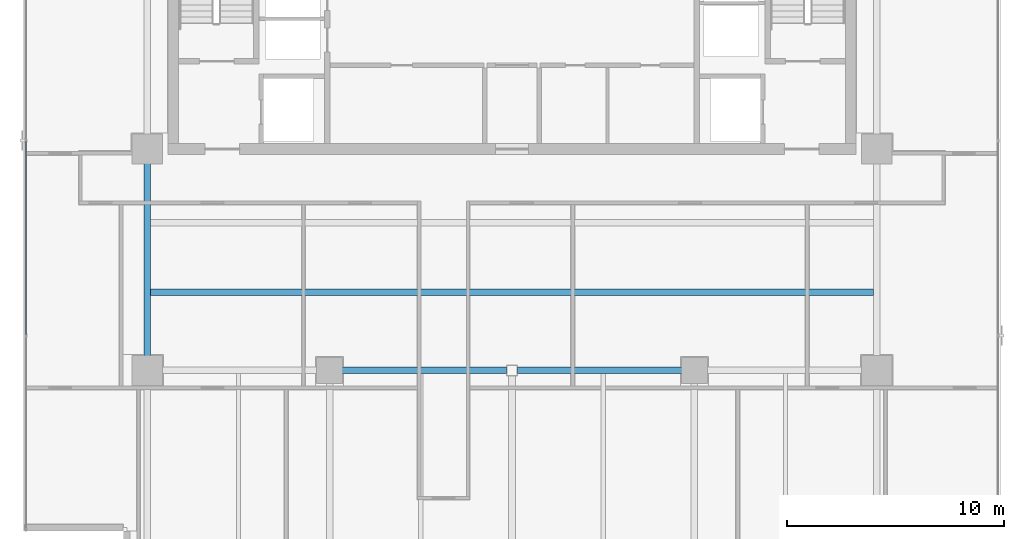
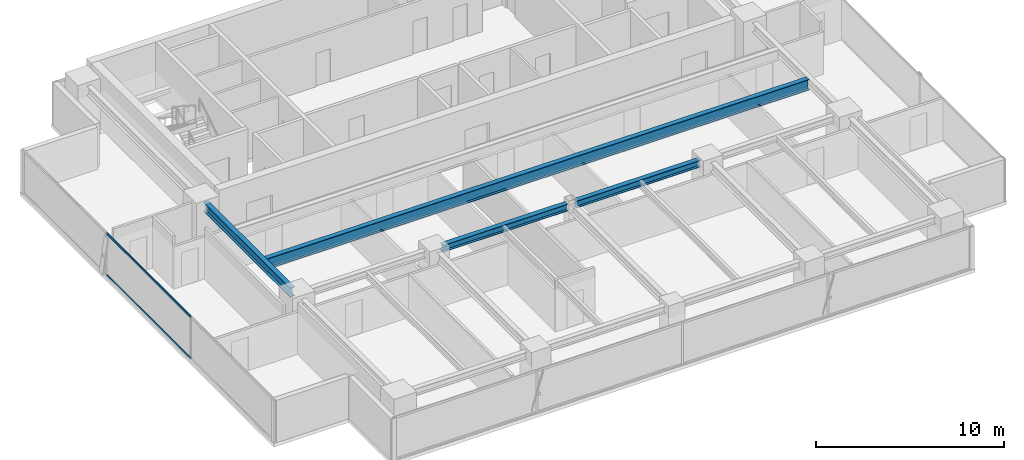
# One storey, part 8 of 26: 4 beams, 2 members, 1 element without a shape of its own.
"""IFC4 building model written with IfcOpenShell, lengths in metres."""

from ifc_helpers import new_model, si_unit, direction, frame, origin, origin_2d, place, context, subcontext, project, spatial, hollow_rectangle, i_section, extrude, source, transform, mapped, material, layer, layer_set, material_profile, profile_set, type_object, element, aggregate, save


model = new_model("IFC4")

# Units and contexts
model_context = context("Model", 3, precision=1e-05, world=origin(), true_north=direction((0.0, 1.0)))
body_context = subcontext(model_context, "Body", "Model", "MODEL_VIEW")
ifc_project = project(units=[si_unit("LENGTHUNIT", "METRE"), si_unit("AREAUNIT", "SQUARE_METRE"), si_unit("VOLUMEUNIT", "CUBIC_METRE"), si_unit("PLANEANGLEUNIT", "RADIAN"), si_unit("MASSUNIT", "GRAM", prefix="KILO")], contexts=[model_context])

# Site, building, storey
site_placement = place(None, origin())
site = spatial("IfcSite", under=ifc_project, at=site_placement, CompositionType="ELEMENT")
building_placement = place(site_placement, origin())
building = spatial("IfcBuilding", under=site, at=building_placement, Name="Sumidabori Civic Tower", CompositionType="ELEMENT")
storey_placement = place(building_placement, frame((0.0, 0.0, 250.39990234375)))
storey = spatial("IfcBuildingStorey", under=building, at=storey_placement, Name="L65", CompositionType="ELEMENT", Elevation=250.39990234375)

# Beams
ifc_material_1 = material(Name="Steel SN490", Category="steel")
ifc_material_profile_1 = material_profile(ifc_material_1, i_section(OverallWidth=0.300048828125, OverallDepth=0.60009765625, WebThickness=0.015380859375, FlangeThickness=0.030029296875, at=origin_2d()), Name="HE 600 B")
ifc_profile_set_1 = profile_set([ifc_material_profile_1], Name="Steel SN490")
beam_type_1 = type_object("IfcBeamType", Name="BM-GIRD-600", PredefinedType="BEAM", material=ifc_profile_set_1)
shared_shape_1 = source(origin(), body_context, "Body", "SweptSolid", [
    extrude(i_section(OverallWidth=0.300048828125, OverallDepth=0.60009765625, WebThickness=0.015380859375, FlangeThickness=0.030029296875, at=origin_2d()), origin(), (0.0, 0.0, 1.0), 9.239990234375),
])
beam_1_placement = place(storey_placement, frame((-16.800048828125, 0.47998046875, 3.070068359375), z_axis=(0.0, 1.0, 0.0), x_axis=(-1.0, 0.0, 0.0)))
element("IfcBeam", 1, at=beam_1_placement, inside=storey, type_object=beam_type_1, Name="Primary Girder L65 GY-10", PredefinedType="BEAM", context=body_context, shape_type="MappedRepresentation", body=[
    mapped(shared_shape_1, transform((0.0, 0.0, 0.0), x_axis=(1.0, 0.0, 0.0), y_axis=(0.0, 1.0, 0.0), z_axis=(0.0, 0.0, 1.0), scale=1.0)),
])
ifc_material_profile_2 = material_profile(ifc_material_1, i_section(OverallWidth=0.300048828125, OverallDepth=0.699951171875, WebThickness=0.01708984375, FlangeThickness=0.031982421875, at=origin_2d()), Name="HE 700 B")
ifc_profile_set_2 = profile_set([ifc_material_profile_2], Name="Steel SN490")
beam_type_2 = type_object("IfcBeamType", Name="BM-GIRD-700", PredefinedType="BEAM", material=ifc_profile_set_2)
shared_shape_2 = source(origin(), body_context, "Body", "SweptSolid", [
    extrude(i_section(OverallWidth=0.300048828125, OverallDepth=0.699951171875, WebThickness=0.01708984375, FlangeThickness=0.031982421875, at=origin_2d()), origin(), (0.0, 0.0, 1.0), 33.2998046875),
])
beam_2_placement = place(storey_placement, frame((-16.64990234375, 3.60009765625, 3.02001953125), z_axis=(1.0, 0.0, 0.0), x_axis=(0.0, 1.0, 0.0)))
element("IfcBeam", 2, at=beam_2_placement, inside=storey, type_object=beam_type_2, Name="North Bay Floor Beam L65 JSTN-18", PredefinedType="BEAM", context=body_context, shape_type="MappedRepresentation", body=[
    mapped(shared_shape_2, transform((0.0, 0.0, 0.0), x_axis=(1.0, 0.0, 0.0), y_axis=(0.0, 1.0, 0.0), z_axis=(0.0, 0.0, 1.0), scale=1.0)),
])
ifc_material_profile_3 = material_profile(ifc_material_1, i_section(OverallWidth=0.300048828125, OverallDepth=0.449951171875, WebThickness=0.013916015625, FlangeThickness=0.02587890625, at=origin_2d()), Name="HE 450 B")
ifc_profile_set_3 = profile_set([ifc_material_profile_3], Name="Steel SN490")
beam_type_3 = type_object("IfcBeamType", Name="BM-GIRD-450", PredefinedType="BEAM", material=ifc_profile_set_3)
shared_shape_3 = source(origin(), body_context, "Body", "SweptSolid", [
    extrude(i_section(OverallWidth=0.300048828125, OverallDepth=0.449951171875, WebThickness=0.013916015625, FlangeThickness=0.02587890625, at=origin_2d()), origin(), (0.0, 0.0, 1.0), 7.669921875),
])
for number, where, z_axis, x_axis, name in (
    (3, (-7.919921875, 0.0, 3.14501953125), (1.0, 0.0, 0.0), (0.0, 1.0, 0.0), "Primary Girder L65 GX-06"),
    (4, (0.25, 0.0, 3.14501953125), (1.0, 0.0, 0.0), (0.0, 1.0, 0.0), "Primary Girder L65 GX-07"),
):
    element("IfcBeam", number, at=place(storey_placement, frame(where, z_axis=z_axis, x_axis=x_axis)), inside=storey, type_object=beam_type_3, Name=name, PredefinedType="BEAM", context=body_context, shape_type="MappedRepresentation", body=[
        mapped(shared_shape_3, transform((0.0, 0.0, 0.0), x_axis=(1.0, 0.0, 0.0), y_axis=(0.0, 1.0, 0.0), z_axis=(0.0, 0.0, 1.0), scale=1.0)),
    ])

# Curtain wall, members
ifc_material_2 = material(Name="Anodised Bronze Aluminium AW-6063-T6", Category="aluminium")
ifc_layer = layer(ifc_material_2, 0.179931640625, Name="Anodised Bronze Aluminium AW-6063-T6")
ifc_layer_set = layer_set([ifc_layer], Name="Anodised Bronze Aluminium AW-6063-T6")
curtain_wall_type = type_object("IfcCurtainWallType", Name="CW-SYS-5", PredefinedType="NOTDEFINED", material=ifc_layer_set)
curtain_wall_placement = place(storey_placement, origin())
curtain_wall = element("IfcCurtainWall", 5, at=curtain_wall_placement, inside=storey, type_object=curtain_wall_type, Name="Curtain Wall CW:L65:R10", PredefinedType="NOTDEFINED")
ifc_material_profile_4 = material_profile(ifc_material_2, hollow_rectangle(XDim=0.06005859375, YDim=0.1298828125, WallThickness=0.0048828125, at=origin_2d()), Name="ALU TRANSOM 130x60")
ifc_profile_set_4 = profile_set([ifc_material_profile_4], Name="Anodised Bronze Aluminium AW-6063-T6")
member_type = type_object("IfcMemberType", Name="CW-TRN-130", PredefinedType="USERDEFINED", material=ifc_profile_set_4)
shared_shape_4 = source(origin(), body_context, "Body", "SweptSolid", [
    extrude(hollow_rectangle(XDim=0.06005859375, YDim=0.1298828125, WallThickness=0.0048828125, at=origin_2d()), origin(), (0.0, 0.0, 1.0), 8.920166015625),
])
member_1_placement = place(storey_placement, frame((-22.3798828125, 10.56005859375, 0.030029296875), z_axis=(0.0, -1.0, 0.0), x_axis=(1.0, 0.0, 0.0)))
member_1 = element("IfcMember", 6, at=member_1_placement, type_object=member_type, Name="CW-5 transom 2.1", ObjectType="TRANSOM", PredefinedType="USERDEFINED", context=body_context, shape_type="MappedRepresentation", body=[
    mapped(shared_shape_4, transform((0.0, 0.0, 0.0), x_axis=(1.0, 0.0, 0.0), y_axis=(0.0, 1.0, 0.0), z_axis=(0.0, 0.0, 1.0), scale=1.0)),
])
member_2_placement = place(storey_placement, frame((-22.3798828125, 10.56005859375, 2.72021484375), z_axis=(0.0, -1.0, 0.0), x_axis=(1.0, 0.0, 0.0)))
member_2 = element("IfcMember", 7, at=member_2_placement, type_object=member_type, Name="CW-5 transom 2.2", ObjectType="TRANSOM", PredefinedType="USERDEFINED", context=body_context, shape_type="MappedRepresentation", body=[
    mapped(shared_shape_4, transform((0.0, 0.0, 0.0), x_axis=(1.0, 0.0, 0.0), y_axis=(0.0, 1.0, 0.0), z_axis=(0.0, 0.0, 1.0), scale=1.0)),
])
aggregate(curtain_wall, [member_1, member_2])

save(model, "model.ifc")
